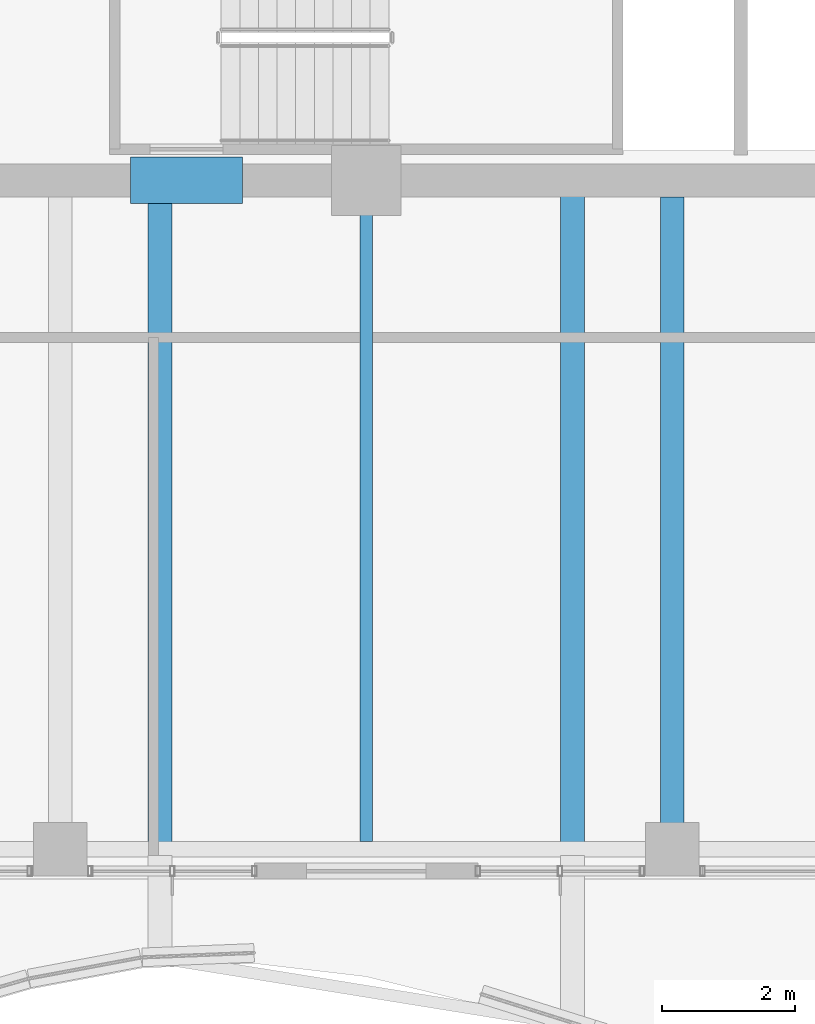
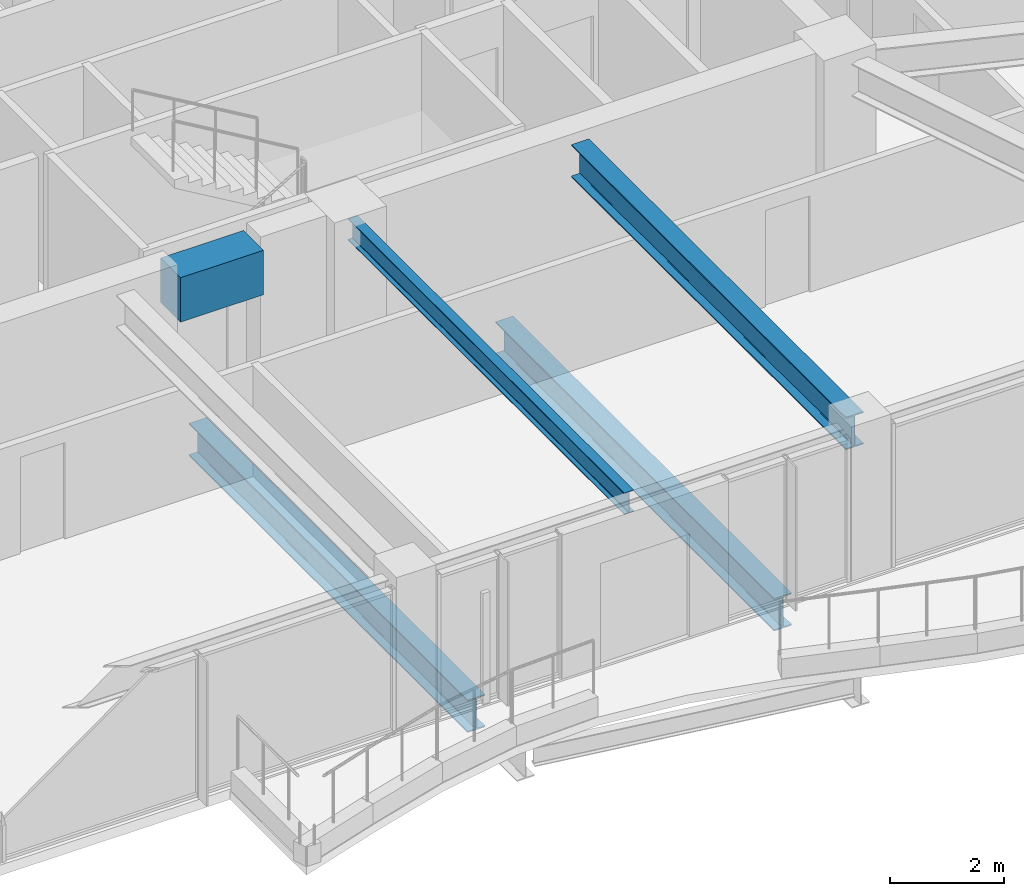
# One storey, part 8 of 36: 5 beams.
"""IFC4 building model written with IfcOpenShell, lengths in metres."""

import ifcopenshell
import ifcopenshell.guid

model = None  # the IFC model being written
_history = None  # IfcOwnerHistory: only IFC2X3 demands one
_inside = {}  # id of a spatial element -> (the spatial element, [elements in it])
_under = {}  # id of a project, library or spatial element -> (it, [spatial elements below it])
_declared = {}  # id of a project -> (the project, [libraries it declares])
_typed = {}  # id of a type object -> (the type object, [elements of that type])
_made_of = {}  # id of a material, layer set ... -> (it, [elements and type objects made of it])


def new_model(schema):
    """Start an empty IFC model of exactly this schema.

    Asked for "IFC4X3", IfcOpenShell would pick the latest addendum, in which some entities
    have other attributes; the version numbers below select the first issue.
    IFC2X3 requires an IfcOwnerHistory on every rooted entity: one is made here for all.
    """
    global model, _history
    if schema == "IFC4X3":
        model = ifcopenshell.file(schema_version=(4, 3, 0, 0))
    else:
        model = ifcopenshell.file(schema=schema)
    _inside.clear()
    _under.clear()
    _declared.clear()
    _typed.clear()
    _made_of.clear()
    _history = None
    if model.schema == "IFC2X3":
        org = make("IfcOrganization", Name="unknown")
        user = make(
            "IfcPersonAndOrganization",
            ThePerson=make("IfcPerson", FamilyName="unknown"),
            TheOrganization=org,
        )
        app = make(
            "IfcApplication",
            ApplicationDeveloper=org,
            Version="unknown",
            ApplicationFullName="unknown",
            ApplicationIdentifier="unknown",
        )
        _history = make(
            "IfcOwnerHistory",
            OwningUser=user,
            OwningApplication=app,
            ChangeAction="ADDED",
            CreationDate=0,
        )
    return model


def make(cls, **values):
    """One entity of the class cls with the attributes given. An attribute that is None is left unset."""
    return model.create_entity(
        cls, **{name: value for name, value in values.items() if value is not None}
    )


def rooted(cls, **values):
    """An entity with a GlobalId (a new one), such as an element, a storey or a relation."""
    return make(cls, GlobalId=ifcopenshell.guid.new(), OwnerHistory=_history, **values)


def si_unit(unit_type, name, prefix=None):
    """IfcSIUnit, for example si_unit("LENGTHUNIT", "METRE", prefix="MILLI")."""
    return make("IfcSIUnit", UnitType=unit_type, Prefix=prefix, Name=name)


def assignment(units):
    """IfcUnitAssignment: the units of a project."""
    return None if units is None else make("IfcUnitAssignment", Units=units)


def point(xyz):
    """IfcCartesianPoint."""
    return None if xyz is None else make("IfcCartesianPoint", Coordinates=xyz)


def direction(xyz):
    """IfcDirection."""
    return None if xyz is None else make("IfcDirection", DirectionRatios=xyz)


def frame(location, z_axis=None, x_axis=None):
    """IfcAxis2Placement3D, a coordinate frame: its origin and axes. An axis left out is left unset."""
    return make(
        "IfcAxis2Placement3D",
        Location=point(location),
        Axis=direction(z_axis),
        RefDirection=direction(x_axis),
    )


def frame_2d(location, x_axis=None):
    """IfcAxis2Placement2D, a coordinate frame in the plane: its origin and x axis."""
    return make(
        "IfcAxis2Placement2D", Location=point(location), RefDirection=direction(x_axis)
    )


def origin():
    """The frame at (0, 0, 0) with its axes left unset."""
    return frame((0.0, 0.0, 0.0))


def origin_2d():
    """The frame at (0, 0) in the plane with its x axis left unset."""
    return frame_2d((0.0, 0.0))


def place(relative_to, where):
    """IfcLocalPlacement: puts the frame where relative to a parent placement (None: the world)."""
    return make(
        "IfcLocalPlacement", PlacementRelTo=relative_to, RelativePlacement=where
    )


def context(
    kind, dimensions, precision=None, world=None, true_north=None, identifier=None
):
    """IfcGeometricRepresentationContext, for example the 3D "Model" context."""
    return make(
        "IfcGeometricRepresentationContext",
        ContextIdentifier=identifier,
        ContextType=kind,
        CoordinateSpaceDimension=dimensions,
        Precision=precision,
        WorldCoordinateSystem=world,
        TrueNorth=true_north,
    )


def subcontext(parent, identifier, kind, view, scale=None):
    """IfcGeometricRepresentationSubContext, for example "Body" below "Model"."""
    return make(
        "IfcGeometricRepresentationSubContext",
        ContextIdentifier=identifier,
        ContextType=kind,
        ParentContext=parent,
        TargetScale=scale,
        TargetView=view,
    )


def project(units=None, contexts=None):
    """IfcProject with its units and contexts."""
    return rooted(
        "IfcProject",
        Name="project",
        RepresentationContexts=contexts,
        UnitsInContext=assignment(units),
    )


def spatial(cls, under=None, at=None, **own):
    """A site, building, storey or space (cls), placed at a placement, below another one or the project."""
    s = rooted(cls, ObjectPlacement=at, **own)
    if under is not None:
        _under.setdefault(under.id(), (under, []))[1].append(s)
    return s


def profile(cls, at=None, kind="AREA", **sizes):
    """A parametric profile (cls). Its sizes go by their IFC names, for example OverallWidth=200.0."""
    return make(cls, ProfileType=kind, Position=at, **sizes)


def rectangle(**sizes):
    """IfcRectangleProfileDef."""
    return profile("IfcRectangleProfileDef", **sizes)


def i_section(**sizes):
    """IfcIShapeProfileDef."""
    return profile("IfcIShapeProfileDef", **sizes)


def extrude(swept, where, along, depth):
    """IfcExtrudedAreaSolid: the profile swept, set in the frame where, extruded along a direction by depth."""
    return make(
        "IfcExtrudedAreaSolid",
        SweptArea=swept,
        Position=where,
        ExtrudedDirection=direction(along),
        Depth=depth,
    )


def shape(context_of_items, identifier, shape_type, items):
    """IfcShapeRepresentation: the items that make up one representation, for example the "Body"."""
    return make(
        "IfcShapeRepresentation",
        ContextOfItems=context_of_items,
        RepresentationIdentifier=identifier,
        RepresentationType=shape_type,
        Items=items,
    )


def material(Name=None, Category=None):
    """IfcMaterial."""
    return make("IfcMaterial", Name=Name, Category=Category)


def material_profile(
    of_material, cross_section, Name=None, Category=None, Priority=None
):
    """IfcMaterialProfile: a cross section and its material."""
    return make(
        "IfcMaterialProfile",
        Name=Name,
        Material=of_material,
        Profile=cross_section,
        Priority=Priority,
        Category=Category,
    )


def profile_set(profiles, Name=None, composite=None):
    """IfcMaterialProfileSet."""
    return make(
        "IfcMaterialProfileSet",
        Name=Name,
        MaterialProfiles=profiles,
        CompositeProfile=composite,
    )


def made_of(thing, what):
    """Note that an element or type object is made of a material, layer set ...; save() writes the relation."""
    if what is not None:
        _made_of.setdefault(what.id(), (what, []))[1].append(thing)
    return thing


def type_object(cls, material=None, **own):
    """A type object (cls), such as IfcWallType, which elements share."""
    return made_of(rooted(cls, **own), material)


def element(
    cls,
    number,
    at=None,
    inside=None,
    cuts=None,
    type_object=None,
    material=None,
    context=None,
    identifier="Body",
    shape_type=None,
    held_by="IfcProductDefinitionShape",
    body=None,
    shapes=None,
    **own,
):
    """One element of the class cls, such as IfcWall. Its Tag is "e" and its number.

    at: its placement. inside: the storey or other place that contains it. cuts: it is an
    opening in that element (IfcRelVoidsElement). A single representation is given by context,
    identifier, shape_type and body (its items); several are given by shapes. held_by: the class
    of the entity that holds the representations. save() writes the other relations.
    """
    e = rooted(cls, Tag="e%d" % number, ObjectPlacement=at, **own)
    if body is not None:
        shapes = [shape(context, identifier, shape_type, body)]
    if shapes is not None:
        e.Representation = make(held_by, Representations=shapes)
    if inside is not None:
        _inside.setdefault(inside.id(), (inside, []))[1].append(e)
    if cuts is not None:
        rooted(
            "IfcRelVoidsElement", RelatingBuildingElement=cuts, RelatedOpeningElement=e
        )
    if type_object is not None:
        _typed.setdefault(type_object.id(), (type_object, []))[1].append(e)
    return made_of(e, material)


def aggregate(whole, parts):
    """IfcRelAggregates: a whole, such as a stair, and the parts it consists of."""
    return rooted("IfcRelAggregates", RelatingObject=whole, RelatedObjects=parts)


def save(model, path):
    """Write the relations noted so far, then the file.

    IfcRelAggregates (storeys below a building ...), IfcRelContainedInSpatialStructure (elements
    in a storey), IfcRelDefinesByType, IfcRelAssociatesMaterial and IfcRelDeclares: one each for
    every whole, place, type object, material and project.
    """
    for whole, parts in _under.values():
        aggregate(whole, parts)
    for where, things in _inside.values():
        rooted(
            "IfcRelContainedInSpatialStructure",
            RelatedElements=things,
            RelatingStructure=where,
        )
    for kind, things in _typed.values():
        rooted("IfcRelDefinesByType", RelatedObjects=things, RelatingType=kind)
    for what, things in _made_of.values():
        rooted("IfcRelAssociatesMaterial", RelatedObjects=things, RelatingMaterial=what)
    for by, libraries in _declared.values():
        rooted("IfcRelDeclares", RelatingContext=by, RelatedDefinitions=libraries)
    model.write(path)


model = new_model("IFC4")

# Units and contexts
model_context = context("Model", 3, precision=1e-05, world=origin(), true_north=direction((0.0, 1.0)))
body_context = subcontext(model_context, "Body", "Model", "MODEL_VIEW")
ifc_project = project(units=[si_unit("LENGTHUNIT", "METRE"), si_unit("AREAUNIT", "SQUARE_METRE"), si_unit("VOLUMEUNIT", "CUBIC_METRE"), si_unit("PLANEANGLEUNIT", "RADIAN"), si_unit("MASSUNIT", "GRAM", prefix="KILO")], contexts=[model_context])

# Site, building, storey
site_placement = place(None, origin())
site = spatial("IfcSite", under=ifc_project, at=site_placement, CompositionType="ELEMENT")
building_placement = place(site_placement, origin())
building = spatial("IfcBuilding", under=site, at=building_placement, Name="Kolvaren Belvedere", CompositionType="ELEMENT")
storey_placement = place(building_placement, frame((0.0, 0.0, 193.199951171875)))
storey = spatial("IfcBuildingStorey", under=building, at=storey_placement, Name="L56", CompositionType="ELEMENT", Elevation=193.199951171875)

# Beams
ifc_material_1 = material(Name="Structural steel ASTM A992 Grade 50", Category="steel")
ifc_material_profile_1 = material_profile(ifc_material_1, i_section(OverallWidth=0.35498046875, OverallDepth=0.696044921875, WebThickness=0.015380859375, FlangeThickness=0.02490234375, FilletRadius=0.02197265625, at=origin_2d()), Name="W27X146")
ifc_profile_set_1 = profile_set([ifc_material_profile_1], Name="Structural steel ASTM A992 Grade 50")
beam_type_1 = type_object("IfcBeamType", Name="BM-GIRD-W27X146", PredefinedType="BEAM", material=ifc_profile_set_1)
for number, where, z_axis, x_axis, name in (
    (1, (-3.10009765625, -10.090087890625, -0.56787109375), (0.0, -1.0, 0.0), (1.0, 0.0, 0.0), "L56 Balcony Interior Back-Span Girder BAL-S-1"),
    (2, (3.10009765625, -10.090087890625, -0.56787109375), (0.0, -1.0, 0.0), (1.0, 0.0, 0.0), "L56 Balcony Interior Back-Span Girder BAL-S-2"),
):
    element("IfcBeam", number, at=place(storey_placement, frame(where, z_axis=z_axis, x_axis=x_axis)), inside=storey, type_object=beam_type_1, Name=name, PredefinedType="BEAM", context=body_context, shape_type="SweptSolid", body=[
        extrude(i_section(OverallWidth=0.35498046875, OverallDepth=0.696044921875, WebThickness=0.015380859375, FlangeThickness=0.02490234375, FilletRadius=0.02197265625, at=origin_2d()), origin(), (0.0, 0.0, 1.0), 9.764892578125),
    ])
beam_1_placement = place(storey_placement, frame((4.60009765625, -10.14990234375, 2.73193359375), z_axis=(0.0, -1.0, 0.0), x_axis=(1.0, 0.0, 0.0)))
element("IfcBeam", 3, at=beam_1_placement, inside=storey, type_object=beam_type_1, Name="L56 South Radial Girder P", PredefinedType="BEAM", context=body_context, shape_type="SweptSolid", body=[
    extrude(i_section(OverallWidth=0.35498046875, OverallDepth=0.696044921875, WebThickness=0.015380859375, FlangeThickness=0.02490234375, FilletRadius=0.02197265625, at=origin_2d()), origin(), (0.0, 0.0, 1.0), 9.6201171875),
])
ifc_material_2 = material(Name="Structural steel ASTM A992 Grade 50", Category="steel")
ifc_material_profile_2 = material_profile(ifc_material_2, i_section(OverallWidth=0.19091796875, OverallDepth=0.4599609375, WebThickness=0.010009765625, FlangeThickness=0.01611328125, FilletRadius=0.014892578125, at=origin_2d()), Name="W18X55")
ifc_profile_set_2 = profile_set([ifc_material_profile_2], Name="Structural steel ASTM A992 Grade 50")
beam_type_2 = type_object("IfcBeamType", Name="BM-JOIST-W18X55", PredefinedType="BEAM", material=ifc_profile_set_2)
beam_2_placement = place(storey_placement, frame((0.0, -10.14990234375, 2.85009765625), z_axis=(0.0, -1.0, 0.0), x_axis=(1.0, 0.0, 0.0)))
element("IfcBeam", 4, at=beam_2_placement, inside=storey, type_object=beam_type_2, Name="L56 South Centre Floor Beam", PredefinedType="BEAM", context=body_context, shape_type="SweptSolid", body=[
    extrude(i_section(OverallWidth=0.19091796875, OverallDepth=0.4599609375, WebThickness=0.010009765625, FlangeThickness=0.01611328125, FilletRadius=0.014892578125, at=origin_2d()), origin(), (0.0, 0.0, 1.0), 9.685546875),
])
ifc_material_3 = material(Name="Concrete C60/75", Category="concrete")
ifc_material_profile_3 = material_profile(ifc_material_3, rectangle(XDim=0.699951171875, YDim=0.949951171875, at=origin_2d()), Name="RC 700X950")
ifc_profile_set_3 = profile_set([ifc_material_profile_3], Name="Concrete C60/75")
beam_type_3 = type_object("IfcBeamType", Name="BM-LINT-950", PredefinedType="LINTEL", material=ifc_profile_set_3)
beam_3_placement = place(storey_placement, frame((-3.5400390625, -9.89990234375, 2.60498046875), z_axis=(1.0, 0.0, 0.0), x_axis=(0.0, 1.0, 0.0)))
element("IfcBeam", 5, at=beam_3_placement, inside=storey, type_object=beam_type_3, Name="L56 South Core Coupling Lintel", PredefinedType="LINTEL", context=body_context, shape_type="SweptSolid", body=[
    extrude(rectangle(XDim=0.699951171875, YDim=0.949951171875, at=origin_2d()), origin(), (0.0, 0.0, 1.0), 1.679931640625),
])

save(model, "model.ifc")
